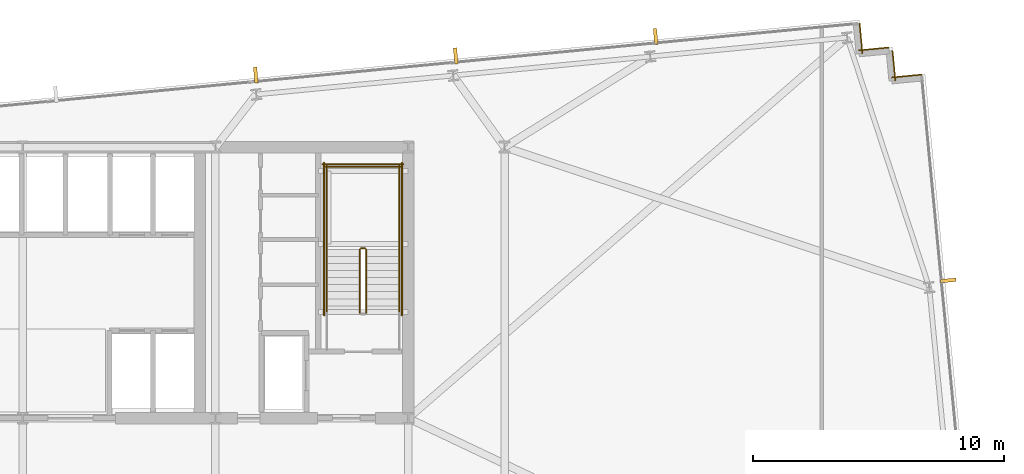
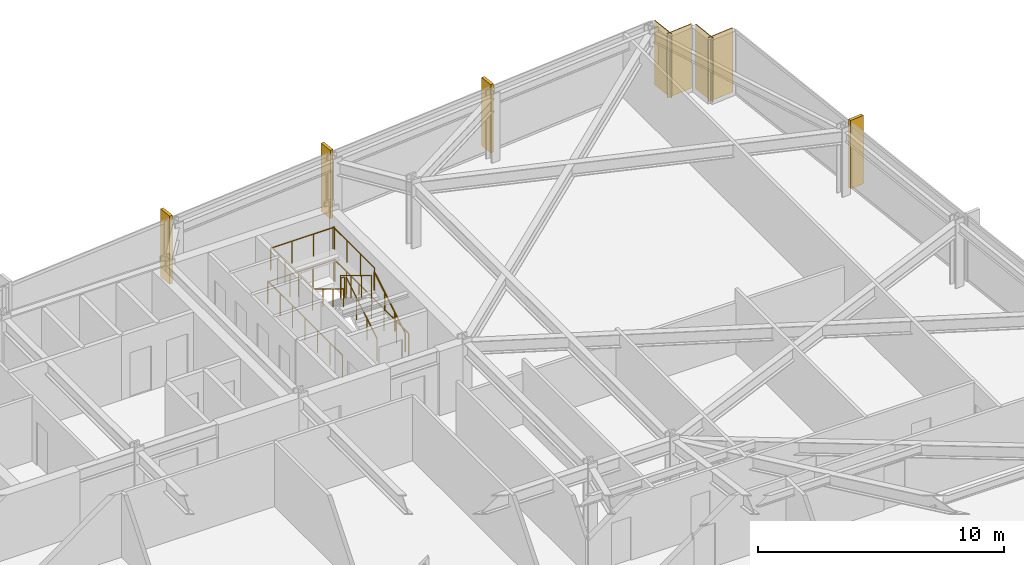
# One storey, part 33 of 33: 11 railings, 4 coverings, 4 shading devices.
"""IFC4 building model written with IfcOpenShell, lengths in metres."""

from ifc_helpers import new_model, si_unit, direction, frame, frame_2d, origin, origin_2d, place, context, subcontext, project, spatial, rectangle, circle, extrude, material, layer, layer_set, type_object, element, save


model = new_model("IFC4")

# Units and contexts
model_context = context("Model", 3, precision=1e-05, world=origin(), true_north=direction((0.0, 1.0)))
body_context = subcontext(model_context, "Body", "Model", "MODEL_VIEW")
ifc_project = project(units=[si_unit("LENGTHUNIT", "METRE"), si_unit("AREAUNIT", "SQUARE_METRE"), si_unit("VOLUMEUNIT", "CUBIC_METRE"), si_unit("PLANEANGLEUNIT", "RADIAN"), si_unit("MASSUNIT", "GRAM", prefix="KILO")], contexts=[model_context])

# Site, building, storey
site_placement = place(None, origin())
site = spatial("IfcSite", under=ifc_project, at=site_placement, CompositionType="ELEMENT")
building_placement = place(site_placement, origin())
building = spatial("IfcBuilding", under=site, at=building_placement, Name="Yelkora Congress Tower", CompositionType="ELEMENT")
storey_placement = place(building_placement, frame((0.0, 0.0, 123.699951171875)))
storey = spatial("IfcBuildingStorey", under=building, at=storey_placement, Name="L33", CompositionType="ELEMENT", Elevation=123.699951171875)

# Coverings
ifc_material_1 = material(Name="Anatolian bush-hammered limestone", Category="masonry")
ifc_layer_1 = layer(ifc_material_1, 0.0400390625)
ifc_layer_set_1 = layer_set([ifc_layer_1], Name="Anatolian bush-hammered limestone")
covering_type = type_object("IfcCoveringType", Name="COV-CLAD-SPANDREL-40", PredefinedType="CLADDING", material=ifc_layer_set_1)
for number, where, z_axis, x_axis, name in (
    (1, (71.74609375, 51.1279296875, 0.0), (0.0, 0.0, 1.0), (0.095817067274, -0.995398960025, 0.0), "L33 Anatolian Limestone Cladding EW-L33-SR11"),
    (2, (71.7138671875, 50.0546875, 0.0), (0.0, 0.0, 1.0), (0.995379537303, 0.096018626938, 0.0), "L33 Anatolian Limestone Cladding EW-L33-SR12"),
):
    element("IfcCovering", number, at=place(storey_placement, frame(where, z_axis=z_axis, x_axis=x_axis)), inside=storey, type_object=covering_type, Name=name, PredefinedType="CLADDING", context=body_context, shape_type="SweptSolid", body=[
        extrude(rectangle(XDim=1.2001953125, YDim=0.0400390625, at=frame_2d((0.60009765625, 0.0))), origin(), (0.0, 0.0, 1.0), 3.179931640625),
    ])
covering_1_placement = place(storey_placement, frame((73.0556640625, 50.04833984375, 0.0), z_axis=(0.0, 0.0, 1.0), x_axis=(0.095836473879, -0.995397091755, 0.0)))
element("IfcCovering", 3, at=covering_1_placement, inside=storey, type_object=covering_type, Name="L33 Anatolian Limestone Cladding EW-L33-SR13", PredefinedType="CLADDING", context=body_context, shape_type="SweptSolid", body=[
    extrude(rectangle(XDim=1.199951171875, YDim=0.0400390625, at=frame_2d((0.60009765625, 0.0))), origin(), (0.0, 0.0, 1.0), 3.179931640625),
])
covering_2_placement = place(storey_placement, frame((73.0234375, 48.975341796875, 0.0), z_axis=(0.0, 0.0, 1.0), x_axis=(0.995398960025, 0.095817067274, 0.0)))
element("IfcCovering", 4, at=covering_2_placement, inside=storey, type_object=covering_type, Name="L33 Anatolian Limestone Cladding EW-L33-SR14", PredefinedType="CLADDING", context=body_context, shape_type="SweptSolid", body=[
    extrude(rectangle(XDim=1.2001953125, YDim=0.0400390625, at=frame_2d((0.60009765625, 0.0))), origin(), (0.0, 0.0, 1.0), 3.179931640625),
])

# Railings
ifc_material_2 = material(Name="Painted galvanised steel stair well guard with vertical infill", Category="steel")
ifc_layer_2 = layer(ifc_material_2, 0.06005859375)
ifc_layer_set_2 = layer_set([ifc_layer_2], Name="Painted galvanised steel stair well guard with vertical infill")
railing_type_1 = type_object("IfcRailingType", Name="RAIL-STAIR-GUARD-1120", PredefinedType="GUARDRAIL", material=ifc_layer_set_2)
railing_1_placement = place(storey_placement, frame((52.090087890625, 39.60009765625, 0.170166015625)))
element("IfcRailing", 5, at=railing_1_placement, inside=storey, type_object=railing_type_1, Name="ST-02 L33 Stair Well Guardrail 1", PredefinedType="GUARDRAIL", context=body_context, shape_type="SweptSolid", body=[
    extrude(circle(Radius=0.02392578125, at=origin_2d()), frame((0.0, 0.0, 1.09619140625), z_axis=(0.0, 0.854821627497, 0.518921945155), x_axis=(-1.0, 0.0, 0.0)), (0.0, 0.0, 1.0), 2.947998046875),
    extrude(circle(Radius=0.02099609375, at=origin_2d()), origin(), (0.0, 0.0, 1.0), 1.072021484375),
    extrude(circle(Radius=0.02099609375, at=origin_2d()), frame((0.0, 0.840087890625, 0.510009765625)), (0.0, 0.0, 1.0), 1.072021484375),
    extrude(circle(Radius=0.02099609375, at=origin_2d()), frame((0.0, 1.679931640625, 1.019775390625)), (0.0, 0.0, 1.0), 1.072021484375),
    extrude(circle(Radius=0.02099609375, at=origin_2d()), frame((0.0, 2.52001953125, 1.52978515625)), (0.0, 0.0, 1.0), 1.072021484375),
])
railing_2_placement = place(storey_placement, frame((52.0400390625, 42.169921875, 1.699951171875)))
element("IfcRailing", 6, at=railing_2_placement, inside=storey, type_object=railing_type_1, Name="ST-02 L33 Stair Well Guardrail 2", PredefinedType="GUARDRAIL", context=body_context, shape_type="SweptSolid", body=[
    extrude(circle(Radius=0.02392578125, at=origin_2d()), frame((0.0, 0.0, 1.09619140625), z_axis=(-1.0, 0.0, 0.0), x_axis=(0.0, -1.0, 0.0)), (0.0, 0.0, 1.0), 0.16015625),
    extrude(circle(Radius=0.02099609375, at=origin_2d()), origin(), (0.0, 0.0, 1.0), 1.072021484375),
    extrude(circle(Radius=0.02099609375, at=origin_2d()), frame((-0.16015625, 0.0, 0.0)), (0.0, 0.0, 1.0), 1.072021484375),
])
for number, where, name in (
    (7, (53.409912109375, 42.1201171875, 1.699951171875), "ST-02 L33 Stair Well Guardrail 3"),
    (8, (50.510009765625, 42.1201171875, 1.699951171875), "ST-02 L33 Stair Well Guardrail 4"),
):
    element("IfcRailing", number, at=place(storey_placement, frame(where)), inside=storey, type_object=railing_type_1, Name=name, PredefinedType="GUARDRAIL", context=body_context, shape_type="SweptSolid", body=[
        extrude(circle(Radius=0.02392578125, at=origin_2d()), frame((0.0, 0.0, 1.09619140625), z_axis=(0.0, 1.0, 0.0), x_axis=(-1.0, 0.0, 0.0)), (0.0, 0.0, 1.0), 3.349853515625),
        extrude(circle(Radius=0.02099609375, at=origin_2d()), origin(), (0.0, 0.0, 1.0), 1.072021484375),
        extrude(circle(Radius=0.02099609375, at=origin_2d()), frame((0.0, 1.11669921875, 0.0)), (0.0, 0.0, 1.0), 1.072021484375),
        extrude(circle(Radius=0.02099609375, at=origin_2d()), frame((0.0, 2.233154296875, 0.0)), (0.0, 0.0, 1.0), 1.072021484375),
        extrude(circle(Radius=0.02099609375, at=origin_2d()), frame((0.0, 3.349853515625, 0.0)), (0.0, 0.0, 1.0), 1.072021484375),
    ])
railing_3_placement = place(storey_placement, frame((53.4599609375, 45.419921875, 1.699951171875)))
element("IfcRailing", 9, at=railing_3_placement, inside=storey, type_object=railing_type_1, Name="ST-02 L33 Stair Well Guardrail 5", PredefinedType="GUARDRAIL", context=body_context, shape_type="SweptSolid", body=[
    extrude(circle(Radius=0.02392578125, at=origin_2d()), frame((0.0, 0.0, 1.09619140625), z_axis=(-1.0, 0.0, 0.0), x_axis=(0.0, -1.0, 0.0)), (0.0, 0.0, 1.0), 3.0),
    extrude(circle(Radius=0.02099609375, at=origin_2d()), origin(), (0.0, 0.0, 1.0), 1.072021484375),
    extrude(circle(Radius=0.02099609375, at=origin_2d()), frame((-1.0, 0.0, 0.0)), (0.0, 0.0, 1.0), 1.072021484375),
    extrude(circle(Radius=0.02099609375, at=origin_2d()), frame((-2.0, 0.0, 0.0)), (0.0, 0.0, 1.0), 1.072021484375),
    extrude(circle(Radius=0.02099609375, at=origin_2d()), frame((-3.0, 0.0, 0.0)), (0.0, 0.0, 1.0), 1.072021484375),
])
railing_4_placement = place(storey_placement, frame((51.830078125, 42.1201171875, 1.8701171875)))
element("IfcRailing", 10, at=railing_4_placement, inside=storey, type_object=railing_type_1, Name="ST-02 L33 Stair Well Guardrail 6", PredefinedType="GUARDRAIL", context=body_context, shape_type="SweptSolid", body=[
    extrude(circle(Radius=0.02392578125, at=origin_2d()), frame((0.0, 0.0, 1.09619140625), z_axis=(0.0, -0.85478489116, 0.518982456201), x_axis=(1.0, 0.0, 0.0)), (0.0, 0.0, 1.0), 2.9482421875),
    extrude(circle(Radius=0.02099609375, at=origin_2d()), origin(), (0.0, 0.0, 1.0), 1.072021484375),
    extrude(circle(Radius=0.02099609375, at=origin_2d()), frame((0.0, -0.840087890625, 0.510009765625)), (0.0, 0.0, 1.0), 1.072021484375),
    extrude(circle(Radius=0.02099609375, at=origin_2d()), frame((0.0, -1.679931640625, 1.02001953125)), (0.0, 0.0, 1.0), 1.072021484375),
    extrude(circle(Radius=0.02099609375, at=origin_2d()), frame((0.0, -2.52001953125, 1.530029296875)), (0.0, 0.0, 1.0), 1.072021484375),
])
for number, where, name in (
    (11, (53.510009765625, 39.5, 0.0), "ST-02 L33 Stair Well Guardrail 10"),
    (12, (50.409912109375, 39.5, 0.0), "ST-02 L33 Stair Well Guardrail 11"),
):
    element("IfcRailing", number, at=place(storey_placement, frame(where)), inside=storey, type_object=railing_type_1, Name=name, PredefinedType="GUARDRAIL", context=body_context, shape_type="SweptSolid", body=[
        extrude(circle(Radius=0.02392578125, at=origin_2d()), frame((0.0, 0.0, 1.09619140625), z_axis=(0.0, 1.0, 0.0), x_axis=(-1.0, 0.0, 0.0)), (0.0, 0.0, 1.0), 6.070068359375),
        extrude(circle(Radius=0.02099609375, at=origin_2d()), origin(), (0.0, 0.0, 1.0), 1.072021484375),
        extrude(circle(Radius=0.02099609375, at=origin_2d()), frame((0.0, 1.01171875, 0.0)), (0.0, 0.0, 1.0), 1.072021484375),
        extrude(circle(Radius=0.02099609375, at=origin_2d()), frame((0.0, 2.0234375, 0.0)), (0.0, 0.0, 1.0), 1.072021484375),
        extrude(circle(Radius=0.02099609375, at=origin_2d()), frame((0.0, 3.03515625, 0.0)), (0.0, 0.0, 1.0), 1.072021484375),
        extrude(circle(Radius=0.02099609375, at=origin_2d()), frame((0.0, 4.046630859375, 0.0)), (0.0, 0.0, 1.0), 1.072021484375),
        extrude(circle(Radius=0.02099609375, at=origin_2d()), frame((0.0, 5.058349609375, 0.0)), (0.0, 0.0, 1.0), 1.072021484375),
        extrude(circle(Radius=0.02099609375, at=origin_2d()), frame((0.0, 6.070068359375, 0.0)), (0.0, 0.0, 1.0), 1.072021484375),
    ])
railing_5_placement = place(storey_placement, frame((53.56005859375, 45.52001953125, 0.0)))
element("IfcRailing", 13, at=railing_5_placement, inside=storey, type_object=railing_type_1, Name="ST-02 L33 Stair Well Guardrail 12", PredefinedType="GUARDRAIL", context=body_context, shape_type="SweptSolid", body=[
    extrude(circle(Radius=0.02392578125, at=origin_2d()), frame((0.0, 0.0, 1.09619140625), z_axis=(-1.0, 0.0, 0.0), x_axis=(0.0, -1.0, 0.0)), (0.0, 0.0, 1.0), 3.199951171875),
    extrude(circle(Radius=0.02099609375, at=origin_2d()), origin(), (0.0, 0.0, 1.0), 1.072021484375),
    extrude(circle(Radius=0.02099609375, at=origin_2d()), frame((-1.066650390625, 0.0, 0.0)), (0.0, 0.0, 1.0), 1.072021484375),
    extrude(circle(Radius=0.02099609375, at=origin_2d()), frame((-2.13330078125, 0.0, 0.0)), (0.0, 0.0, 1.0), 1.072021484375),
    extrude(circle(Radius=0.02099609375, at=origin_2d()), frame((-3.199951171875, 0.0, 0.0)), (0.0, 0.0, 1.0), 1.072021484375),
])
ifc_material_3 = material(Name="Brushed stainless steel tubular handrail", Category="steel")
ifc_layer_3 = layer(ifc_material_3, 0.050048828125)
ifc_layer_set_3 = layer_set([ifc_layer_3], Name="Brushed stainless steel tubular handrail")
railing_type_2 = type_object("IfcRailingType", Name="RAIL-STAIR-HAND-920", PredefinedType="HANDRAIL", material=ifc_layer_set_3)
railing_6_placement = place(storey_placement, frame((53.409912109375, 39.60009765625, 0.170166015625)))
element("IfcRailing", 14, at=railing_6_placement, inside=storey, type_object=railing_type_2, Name="ST-02 L33 Pitch Handrail 1", PredefinedType="HANDRAIL", context=body_context, shape_type="SweptSolid", body=[
    extrude(circle(Radius=0.02392578125, at=origin_2d()), frame((0.0, 0.0, 0.89599609375), z_axis=(0.0, 0.854821627497, 0.518921945155), x_axis=(-1.0, 0.0, 0.0)), (0.0, 0.0, 1.0), 2.947998046875),
    extrude(circle(Radius=0.02099609375, at=origin_2d()), origin(), (0.0, 0.0, 1.0), 0.871826171875),
    extrude(circle(Radius=0.02099609375, at=origin_2d()), frame((0.0, 0.840087890625, 0.510009765625)), (0.0, 0.0, 1.0), 0.871826171875),
    extrude(circle(Radius=0.02099609375, at=origin_2d()), frame((0.0, 1.679931640625, 1.019775390625)), (0.0, 0.0, 1.0), 0.871826171875),
    extrude(circle(Radius=0.02099609375, at=origin_2d()), frame((0.0, 2.52001953125, 1.52978515625)), (0.0, 0.0, 1.0), 0.871826171875),
])
railing_7_placement = place(storey_placement, frame((50.510009765625, 42.1201171875, 1.8701171875)))
element("IfcRailing", 15, at=railing_7_placement, inside=storey, type_object=railing_type_2, Name="ST-02 L33 Pitch Handrail 2", PredefinedType="HANDRAIL", context=body_context, shape_type="SweptSolid", body=[
    extrude(circle(Radius=0.02392578125, at=origin_2d()), frame((0.0, 0.0, 0.89599609375), z_axis=(0.0, -0.85478489116, 0.518982456201), x_axis=(1.0, 0.0, 0.0)), (0.0, 0.0, 1.0), 2.9482421875),
    extrude(circle(Radius=0.02099609375, at=origin_2d()), origin(), (0.0, 0.0, 1.0), 0.871826171875),
    extrude(circle(Radius=0.02099609375, at=origin_2d()), frame((0.0, -0.840087890625, 0.510009765625)), (0.0, 0.0, 1.0), 0.871826171875),
    extrude(circle(Radius=0.02099609375, at=origin_2d()), frame((0.0, -1.679931640625, 1.02001953125)), (0.0, 0.0, 1.0), 0.871826171875),
    extrude(circle(Radius=0.02099609375, at=origin_2d()), frame((0.0, -2.52001953125, 1.530029296875)), (0.0, 0.0, 1.0), 0.871826171875),
])

# Shading devices
ifc_material_4 = material(Name="Champagne anodised aluminium", Category="aluminium")
ifc_layer_4 = layer(ifc_material_4, 3.39990234375)
ifc_layer_set_4 = layer_set([ifc_layer_4], Name="Champagne anodised aluminium")
shading_device_type = type_object("IfcShadingDeviceType", Name="SHD-FIN-ALU-640", PredefinedType="USERDEFINED", material=ifc_layer_set_4)
for number, where, z_axis, x_axis, name in (
    (16, (47.68896484375, 49.072509765625, -0.02978515625), (0.0, 0.0, 1.0), (0.995396198367, 0.09584575252, 0.0), "L33 Vertical Anodised Solar Fin 10-4"),
    (17, (55.65478515625, 49.839599609375, -0.02978515625), (0.0, 0.0, 1.0), (0.995396198367, 0.09584575252, 0.0), "L33 Vertical Anodised Solar Fin 10-5"),
    (18, (63.620849609375, 50.606689453125, -0.02978515625), (0.0, 0.0, 1.0), (0.995396198367, 0.09584575252, 0.0), "L33 Vertical Anodised Solar Fin 10-6"),
    (19, (75.268798828125, 40.888427734375, -0.02978515625), (0.0, 0.0, 1.0), (0.09584575252, -0.995396198367, 0.0), "L33 Vertical Anodised Solar Fin 15-1"),
):
    element("IfcShadingDevice", number, at=place(storey_placement, frame(where, z_axis=z_axis, x_axis=x_axis)), inside=storey, type_object=shading_device_type, Name=name, ObjectType="FIN", PredefinedType="USERDEFINED", context=body_context, shape_type="SweptSolid", body=[
        extrude(rectangle(XDim=0.139892578125, YDim=0.639892578125, at=origin_2d()), origin(), (0.0, 0.0, 1.0), 3.3798828125),
    ])

save(model, "model.ifc")
